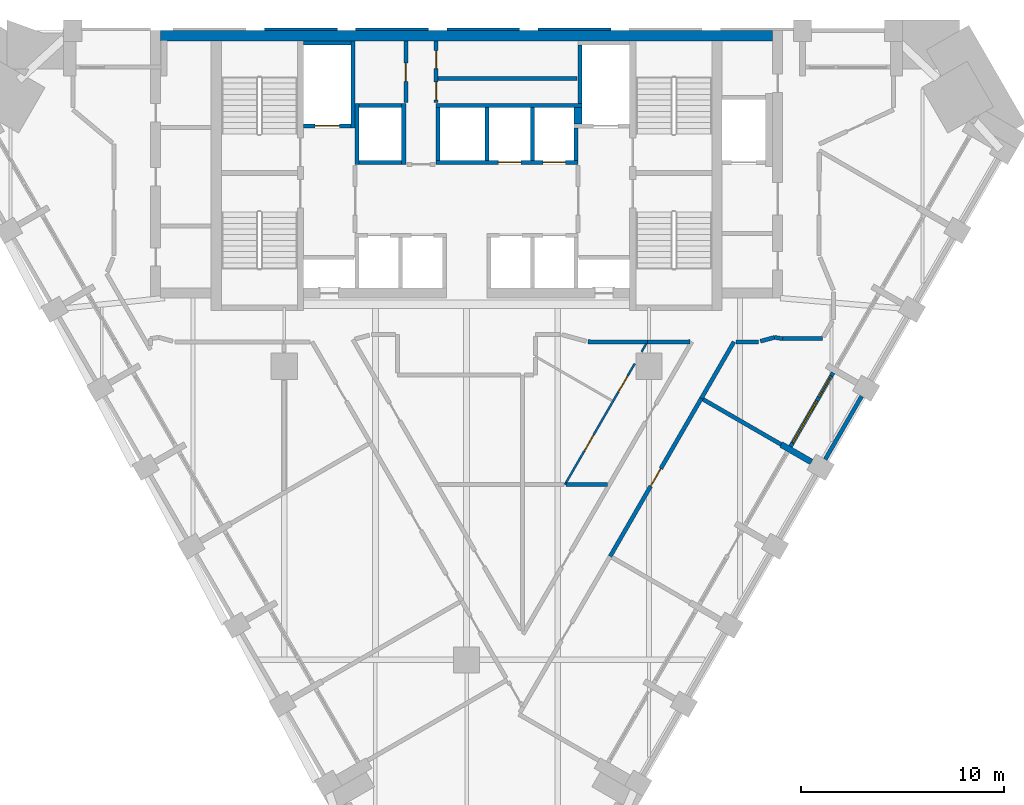
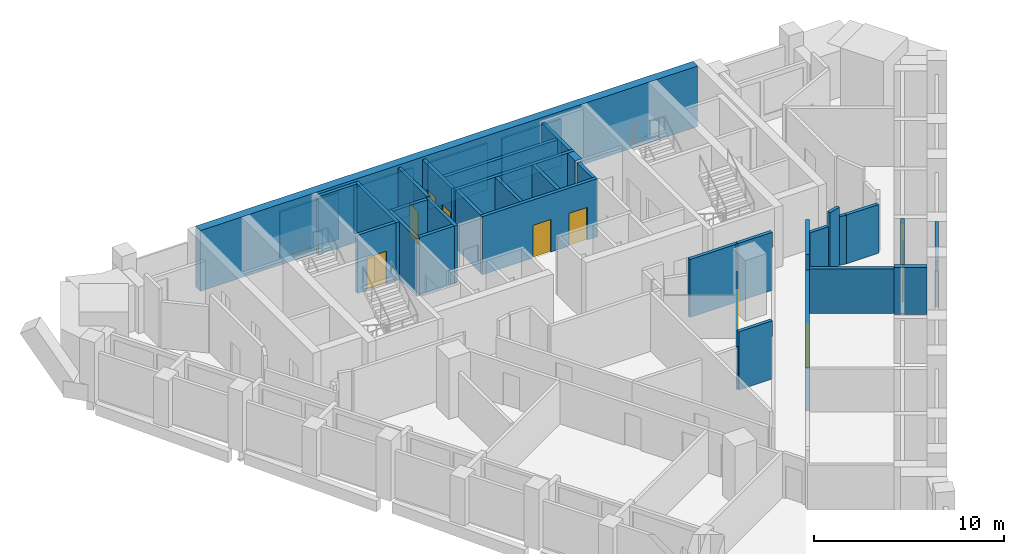
# One storey, part 6 of 9: 38 walls, 10 doors, 1 window, 11 openings.
"""IFC4 building model written with IfcOpenShell, lengths in metres."""

import ifcopenshell
import ifcopenshell.guid

model = None  # the IFC model being written
_history = None  # IfcOwnerHistory: only IFC2X3 demands one
_inside = {}  # id of a spatial element -> (the spatial element, [elements in it])
_under = {}  # id of a project, library or spatial element -> (it, [spatial elements below it])
_declared = {}  # id of a project -> (the project, [libraries it declares])
_typed = {}  # id of a type object -> (the type object, [elements of that type])
_made_of = {}  # id of a material, layer set ... -> (it, [elements and type objects made of it])


def new_model(schema):
    """Start an empty IFC model of exactly this schema.

    Asked for "IFC4X3", IfcOpenShell would pick the latest addendum, in which some entities
    have other attributes; the version numbers below select the first issue.
    IFC2X3 requires an IfcOwnerHistory on every rooted entity: one is made here for all.
    """
    global model, _history
    if schema == "IFC4X3":
        model = ifcopenshell.file(schema_version=(4, 3, 0, 0))
    else:
        model = ifcopenshell.file(schema=schema)
    _inside.clear()
    _under.clear()
    _declared.clear()
    _typed.clear()
    _made_of.clear()
    _history = None
    if model.schema == "IFC2X3":
        org = make("IfcOrganization", Name="unknown")
        user = make(
            "IfcPersonAndOrganization",
            ThePerson=make("IfcPerson", FamilyName="unknown"),
            TheOrganization=org,
        )
        app = make(
            "IfcApplication",
            ApplicationDeveloper=org,
            Version="unknown",
            ApplicationFullName="unknown",
            ApplicationIdentifier="unknown",
        )
        _history = make(
            "IfcOwnerHistory",
            OwningUser=user,
            OwningApplication=app,
            ChangeAction="ADDED",
            CreationDate=0,
        )
    return model


def make(cls, **values):
    """One entity of the class cls with the attributes given. An attribute that is None is left unset."""
    return model.create_entity(
        cls, **{name: value for name, value in values.items() if value is not None}
    )


def rooted(cls, **values):
    """An entity with a GlobalId (a new one), such as an element, a storey or a relation."""
    return make(cls, GlobalId=ifcopenshell.guid.new(), OwnerHistory=_history, **values)


def si_unit(unit_type, name, prefix=None):
    """IfcSIUnit, for example si_unit("LENGTHUNIT", "METRE", prefix="MILLI")."""
    return make("IfcSIUnit", UnitType=unit_type, Prefix=prefix, Name=name)


def assignment(units):
    """IfcUnitAssignment: the units of a project."""
    return None if units is None else make("IfcUnitAssignment", Units=units)


def point(xyz):
    """IfcCartesianPoint."""
    return None if xyz is None else make("IfcCartesianPoint", Coordinates=xyz)


def direction(xyz):
    """IfcDirection."""
    return None if xyz is None else make("IfcDirection", DirectionRatios=xyz)


def frame(location, z_axis=None, x_axis=None):
    """IfcAxis2Placement3D, a coordinate frame: its origin and axes. An axis left out is left unset."""
    return make(
        "IfcAxis2Placement3D",
        Location=point(location),
        Axis=direction(z_axis),
        RefDirection=direction(x_axis),
    )


def frame_2d(location, x_axis=None):
    """IfcAxis2Placement2D, a coordinate frame in the plane: its origin and x axis."""
    return make(
        "IfcAxis2Placement2D", Location=point(location), RefDirection=direction(x_axis)
    )


def origin():
    """The frame at (0, 0, 0) with its axes left unset."""
    return frame((0.0, 0.0, 0.0))


def place(relative_to, where):
    """IfcLocalPlacement: puts the frame where relative to a parent placement (None: the world)."""
    return make(
        "IfcLocalPlacement", PlacementRelTo=relative_to, RelativePlacement=where
    )


def context(
    kind, dimensions, precision=None, world=None, true_north=None, identifier=None
):
    """IfcGeometricRepresentationContext, for example the 3D "Model" context."""
    return make(
        "IfcGeometricRepresentationContext",
        ContextIdentifier=identifier,
        ContextType=kind,
        CoordinateSpaceDimension=dimensions,
        Precision=precision,
        WorldCoordinateSystem=world,
        TrueNorth=true_north,
    )


def subcontext(parent, identifier, kind, view, scale=None):
    """IfcGeometricRepresentationSubContext, for example "Body" below "Model"."""
    return make(
        "IfcGeometricRepresentationSubContext",
        ContextIdentifier=identifier,
        ContextType=kind,
        ParentContext=parent,
        TargetScale=scale,
        TargetView=view,
    )


def project(units=None, contexts=None):
    """IfcProject with its units and contexts."""
    return rooted(
        "IfcProject",
        Name="project",
        RepresentationContexts=contexts,
        UnitsInContext=assignment(units),
    )


def spatial(cls, under=None, at=None, **own):
    """A site, building, storey or space (cls), placed at a placement, below another one or the project."""
    s = rooted(cls, ObjectPlacement=at, **own)
    if under is not None:
        _under.setdefault(under.id(), (under, []))[1].append(s)
    return s


def polyline(points):
    """IfcPolyline through the points."""
    return make("IfcPolyline", Points=[point(p) for p in points])


def profile(cls, at=None, kind="AREA", **sizes):
    """A parametric profile (cls). Its sizes go by their IFC names, for example OverallWidth=200.0."""
    return make(cls, ProfileType=kind, Position=at, **sizes)


def rectangle(**sizes):
    """IfcRectangleProfileDef."""
    return profile("IfcRectangleProfileDef", **sizes)


def outline(outer, holes=None, kind="AREA"):
    """IfcArbitraryClosedProfileDef: a profile drawn as a closed curve; with holes, ...WithVoids."""
    if holes is None:
        return make("IfcArbitraryClosedProfileDef", ProfileType=kind, OuterCurve=outer)
    return make(
        "IfcArbitraryProfileDefWithVoids",
        ProfileType=kind,
        OuterCurve=outer,
        InnerCurves=holes,
    )


def extrude(swept, where, along, depth):
    """IfcExtrudedAreaSolid: the profile swept, set in the frame where, extruded along a direction by depth."""
    return make(
        "IfcExtrudedAreaSolid",
        SweptArea=swept,
        Position=where,
        ExtrudedDirection=direction(along),
        Depth=depth,
    )


def shape(context_of_items, identifier, shape_type, items):
    """IfcShapeRepresentation: the items that make up one representation, for example the "Body"."""
    return make(
        "IfcShapeRepresentation",
        ContextOfItems=context_of_items,
        RepresentationIdentifier=identifier,
        RepresentationType=shape_type,
        Items=items,
    )


def material(Name=None, Category=None):
    """IfcMaterial."""
    return make("IfcMaterial", Name=Name, Category=Category)


def layer(
    of_material, thickness, ventilated=None, Name=None, Category=None, Priority=None
):
    """IfcMaterialLayer: one layer of a wall or slab, of a material (None: an air gap)."""
    return make(
        "IfcMaterialLayer",
        Material=of_material,
        LayerThickness=thickness,
        IsVentilated=ventilated,
        Name=Name,
        Category=Category,
        Priority=Priority,
    )


def layer_set(layers, Name=None):
    """IfcMaterialLayerSet."""
    return make("IfcMaterialLayerSet", MaterialLayers=layers, LayerSetName=Name)


def made_of(thing, what):
    """Note that an element or type object is made of a material, layer set ...; save() writes the relation."""
    if what is not None:
        _made_of.setdefault(what.id(), (what, []))[1].append(thing)
    return thing


def type_object(cls, material=None, **own):
    """A type object (cls), such as IfcWallType, which elements share."""
    return made_of(rooted(cls, **own), material)


def element(
    cls,
    number,
    at=None,
    inside=None,
    cuts=None,
    type_object=None,
    material=None,
    context=None,
    identifier="Body",
    shape_type=None,
    held_by="IfcProductDefinitionShape",
    body=None,
    shapes=None,
    **own,
):
    """One element of the class cls, such as IfcWall. Its Tag is "e" and its number.

    at: its placement. inside: the storey or other place that contains it. cuts: it is an
    opening in that element (IfcRelVoidsElement). A single representation is given by context,
    identifier, shape_type and body (its items); several are given by shapes. held_by: the class
    of the entity that holds the representations. save() writes the other relations.
    """
    e = rooted(cls, Tag="e%d" % number, ObjectPlacement=at, **own)
    if body is not None:
        shapes = [shape(context, identifier, shape_type, body)]
    if shapes is not None:
        e.Representation = make(held_by, Representations=shapes)
    if inside is not None:
        _inside.setdefault(inside.id(), (inside, []))[1].append(e)
    if cuts is not None:
        rooted(
            "IfcRelVoidsElement", RelatingBuildingElement=cuts, RelatedOpeningElement=e
        )
    if type_object is not None:
        _typed.setdefault(type_object.id(), (type_object, []))[1].append(e)
    return made_of(e, material)


def fill(opening, filler):
    """IfcRelFillsElement: the door or window that sits in an opening."""
    return rooted(
        "IfcRelFillsElement",
        RelatingOpeningElement=opening,
        RelatedBuildingElement=filler,
    )


def aggregate(whole, parts):
    """IfcRelAggregates: a whole, such as a stair, and the parts it consists of."""
    return rooted("IfcRelAggregates", RelatingObject=whole, RelatedObjects=parts)


def save(model, path):
    """Write the relations noted so far, then the file.

    IfcRelAggregates (storeys below a building ...), IfcRelContainedInSpatialStructure (elements
    in a storey), IfcRelDefinesByType, IfcRelAssociatesMaterial and IfcRelDeclares: one each for
    every whole, place, type object, material and project.
    """
    for whole, parts in _under.values():
        aggregate(whole, parts)
    for where, things in _inside.values():
        rooted(
            "IfcRelContainedInSpatialStructure",
            RelatedElements=things,
            RelatingStructure=where,
        )
    for kind, things in _typed.values():
        rooted("IfcRelDefinesByType", RelatedObjects=things, RelatingType=kind)
    for what, things in _made_of.values():
        rooted("IfcRelAssociatesMaterial", RelatedObjects=things, RelatingMaterial=what)
    for by, libraries in _declared.values():
        rooted("IfcRelDeclares", RelatingContext=by, RelatedDefinitions=libraries)
    model.write(path)


model = new_model("IFC4")

# Units and contexts
model_context = context("Model", 3, precision=1e-05, world=origin(), true_north=direction((0.0, 1.0)))
body_context = subcontext(model_context, "Body", "Model", "MODEL_VIEW")
ifc_project = project(units=[si_unit("LENGTHUNIT", "METRE"), si_unit("AREAUNIT", "SQUARE_METRE"), si_unit("VOLUMEUNIT", "CUBIC_METRE"), si_unit("PLANEANGLEUNIT", "RADIAN"), si_unit("MASSUNIT", "GRAM", prefix="KILO")], contexts=[model_context])

# Site, building, storey
site_placement = place(None, origin())
site = spatial("IfcSite", under=ifc_project, at=site_placement, CompositionType="ELEMENT")
building_placement = place(site_placement, origin())
building = spatial("IfcBuilding", under=site, at=building_placement, Name="Calabash Gate Tower", CompositionType="ELEMENT")
storey_placement = place(building_placement, frame((0.0, 0.0, 179.699951171875)))
storey = spatial("IfcBuildingStorey", under=building, at=storey_placement, Name="L42", CompositionType="ELEMENT", Elevation=179.699951171875)

# Walls
ifc_material_1 = material(Name="Terracotta brick masonry, exposed face", Category="masonry")
ifc_layer_1 = layer(ifc_material_1, 0.300048828125)
ifc_layer_set_1 = layer_set([ifc_layer_1], Name="Brick loggia cheek wall 300")
wall_type_1 = type_object("IfcWallType", Name="Brick loggia cheek wall 300", PredefinedType="SOLIDWALL", material=ifc_layer_set_1)
wall_1_placement = place(storey_placement, frame((15.523193359375, -1.368896484375, 0.0), z_axis=(0.0, 0.0, 1.0), x_axis=(0.866074815912, -0.499914405916, 0.0)))
element("IfcWall", 1, at=wall_1_placement, inside=storey, type_object=wall_type_1, Name="Loggia cheek S12 SE4.4", PredefinedType="SOLIDWALL", context=body_context, shape_type="SweptSolid", body=[
    extrude(rectangle(XDim=1.724853515625, YDim=0.300048828125, at=frame_2d((0.8623046875, 0.0))), origin(), (0.0, 0.0, 1.0), 3.0),
])
ifc_material_2 = material(Name="Concrete C70/85", Category="concrete")
ifc_layer_2 = layer(ifc_material_2, 0.5)
ifc_layer_set_2 = layer_set([ifc_layer_2], Name="Core wall 500 Concrete C70/85")
wall_type_2 = type_object("IfcWallType", Name="Core wall 500 Concrete C70/85", PredefinedType="SHEAR", material=ifc_layer_set_2)
wall_2_placement = place(storey_placement, frame((-15.10009765625, 18.802490234375, 0.0), z_axis=(0.0, 0.0, 1.0), x_axis=(1.0, 0.0, 0.0)))
element("IfcWall", 2, at=wall_2_placement, inside=storey, type_object=wall_type_2, Name="Core wall Z3-N L42", PredefinedType="SHEAR", context=body_context, shape_type="SweptSolid", body=[
    extrude(rectangle(XDim=30.2001953125, YDim=0.5, at=frame_2d((15.10009765625, 0.0))), origin(), (0.0, 0.0, 1.0), 3.900146484375),
])

# Wall, openings, doors
ifc_material_3 = material(Name="Gypsum board on steel studs, mineral wool", Category="steel")
ifc_layer_3 = layer(ifc_material_3, 0.10009765625)
ifc_layer_set_3 = layer_set([ifc_layer_3], Name="Partition 100 gypsum board")
wall_type_3 = type_object("IfcWallType", Name="Partition 100 gypsum board", PredefinedType="PARTITIONING", material=ifc_layer_set_3)
wall_3_placement = place(storey_placement, frame((4.85693359375, -3.339599609375, 0.0), z_axis=(0.0, 0.0, 1.0), x_axis=(0.499969101261, 0.866043242445, 0.0)))
wall_3 = element("IfcWall", 3, at=wall_3_placement, inside=storey, type_object=wall_type_3, Name="Partition", PredefinedType="PARTITIONING", context=body_context, shape_type="SweptSolid", body=[
    extrude(rectangle(XDim=6.88330078125, YDim=0.10009765625, at=frame_2d((3.441650390625, 0.0))), origin(), (0.0, 0.0, 1.0), 2.74169921875),
])
opening_1_placement = place(wall_3_placement, frame((1.91943359375, 0.0, 0.0)))
opening_1 = element("IfcOpeningElement", 4, at=opening_1_placement, cuts=wall_3, Name="Opening 42-44-015", PredefinedType="OPENING", context=body_context, shape_type="SweptSolid", body=[
    extrude(rectangle(XDim=0.89990234375, YDim=2.10009765625, at=frame_2d((0.449951171875, 1.050048828125))), frame((0.0, 0.06005859375, 0.0), z_axis=(0.0, -1.0, 0.0), x_axis=(1.0, 0.0, 0.0)), (0.0, 0.0, 1.0), 0.1201171875),
])
opening_2_placement = place(wall_3_placement, frame((5.283935546875, 0.0, 0.0)))
opening_2 = element("IfcOpeningElement", 5, at=opening_2_placement, cuts=wall_3, Name="Opening 42-44-016", PredefinedType="OPENING", context=body_context, shape_type="SweptSolid", body=[
    extrude(rectangle(XDim=0.89990234375, YDim=2.10009765625, at=frame_2d((0.449951171875, 1.050048828125))), frame((0.0, 0.06005859375, 0.0), z_axis=(0.0, -1.0, 0.0), x_axis=(1.0, 0.0, 0.0)), (0.0, 0.0, 1.0), 0.1201171875),
])
ifc_material_4 = material(Name="Painted timber door", Category="wood")
door_type_1 = type_object("IfcDoorType", Name="WD1 WC door 900x2100", OperationType="NOTDEFINED", PredefinedType="DOOR", material=ifc_material_4)
door_1_placement = place(opening_1_placement, origin())
door_1 = element("IfcDoor", 6, at=door_1_placement, inside=storey, type_object=door_type_1, Name="WC door", OperationType="SINGLE_SWING_LEFT", OverallHeight=2.10009765625, OverallWidth=0.89990234375, PredefinedType="DOOR", context=body_context, shape_type="SweptSolid", body=[
    extrude(rectangle(XDim=0.89990234375, YDim=2.10009765625, at=frame_2d((0.449951171875, 1.050048828125))), frame((0.0, 0.02490234375, 0.0), z_axis=(0.0, -1.0, 0.0), x_axis=(1.0, 0.0, 0.0)), (0.0, 0.0, 1.0), 0.050048828125),
])
fill(opening_1, door_1)
door_2_placement = place(opening_2_placement, origin())
door_2 = element("IfcDoor", 7, at=door_2_placement, inside=storey, type_object=door_type_1, Name="WC door", OperationType="SINGLE_SWING_RIGHT", OverallHeight=2.10009765625, OverallWidth=0.89990234375, PredefinedType="DOOR", context=body_context, shape_type="SweptSolid", body=[
    extrude(rectangle(XDim=0.89990234375, YDim=2.10009765625, at=frame_2d((0.449951171875, 1.050048828125))), frame((0.0, 0.02490234375, 0.0), z_axis=(0.0, -1.0, 0.0), x_axis=(1.0, 0.0, 0.0)), (0.0, 0.0, 1.0), 0.050048828125),
])
fill(opening_2, door_2)

# Walls
wall_4_placement = place(storey_placement, frame((8.634521484375, 3.199951171875, 0.0), z_axis=(0.0, 0.0, 1.0), x_axis=(0.496967188395, 0.867769332057, 0.0)))
element("IfcWall", 8, at=wall_4_placement, inside=storey, type_object=wall_type_3, Name="Partition", PredefinedType="PARTITIONING", context=body_context, shape_type="SweptSolid", body=[
    extrude(rectangle(XDim=0.47607421875, YDim=0.10009765625, at=frame_2d((0.238037109375, 0.0))), origin(), (0.0, 0.0, 1.0), 3.72998046875),
])
ifc_material_5 = material(Name="Gypsum board on steel studs, mineral wool", Category="steel")
ifc_layer_4 = layer(ifc_material_5, 0.199951171875)
ifc_layer_set_4 = layer_set([ifc_layer_4], Name="Partition 200 gypsum board EI 60")
wall_type_4 = type_object("IfcWallType", Name="Partition 200 gypsum board EI 60", PredefinedType="PARTITIONING", material=ifc_layer_set_4)
wall_5_placement = place(storey_placement, frame((4.908935546875, -3.33984375, 0.0), z_axis=(0.0, 0.0, 1.0), x_axis=(0.99999974282, 0.000717188436, 0.0)))
element("IfcWall", 9, at=wall_5_placement, inside=storey, type_object=wall_type_4, Name="Partition", PredefinedType="PARTITIONING", context=body_context, shape_type="SweptSolid", body=[
    extrude(rectangle(XDim=2.04248046875, YDim=0.199951171875, at=frame_2d((1.021240234375, 0.0))), origin(), (0.0, 0.0, 1.0), 3.72998046875),
])
wall_6_placement = place(storey_placement, frame((11.670654296875, 0.857666015625, 0.0), z_axis=(0.0, 0.0, 1.0), x_axis=(0.865862960607, -0.500281254345, 0.0)))
element("IfcWall", 10, at=wall_6_placement, inside=storey, type_object=wall_type_4, Name="Partition", PredefinedType="PARTITIONING", context=body_context, shape_type="SweptSolid", body=[
    extrude(rectangle(XDim=4.44970703125, YDim=0.199951171875, at=frame_2d((2.224853515625, 0.0))), origin(), (0.0, 0.0, 1.0), 2.884033203125),
])

# Wall, opening, door
wall_7_placement = place(storey_placement, frame((7.084716796875, -6.888916015625, 0.0), z_axis=(0.0, 0.0, 1.0), x_axis=(0.499981539608, 0.866036061634, 0.0)))
wall_7 = element("IfcWall", 11, at=wall_7_placement, inside=storey, type_object=wall_type_4, Name="Partition", PredefinedType="PARTITIONING", context=body_context, shape_type="SweptSolid", body=[
    extrude(rectangle(XDim=8.999755859375, YDim=0.199951171875, at=frame_2d((4.5, 0.0))), origin(), (0.0, 0.0, 1.0), 2.74169921875),
])
opening_3_placement = place(wall_7_placement, frame((4.0, 0.0, 0.0)))
opening_3 = element("IfcOpeningElement", 12, at=opening_3_placement, cuts=wall_7, Name="Opening 42-44-005", PredefinedType="OPENING", context=body_context, shape_type="SweptSolid", body=[
    extrude(rectangle(XDim=1.0, YDim=2.10009765625, at=frame_2d((0.5, 1.050048828125))), frame((0.0, 0.10986328125, 0.0), z_axis=(0.0, -1.0, 0.0), x_axis=(1.0, 0.0, 0.0)), (0.0, 0.0, 1.0), 0.219970703125),
])
ifc_material_6 = material(Name="Steel fire door set with fire-resisting glazing", Category="steel")
door_type_2 = type_object("IfcDoorType", Name="LD2 Meeting room door 1000x2100", OperationType="NOTDEFINED", PredefinedType="DOOR", material=ifc_material_6)
door_3_placement = place(opening_3_placement, origin())
door_3 = element("IfcDoor", 13, at=door_3_placement, inside=storey, type_object=door_type_2, Name="Meeting room door", OperationType="SINGLE_SWING_LEFT", OverallHeight=2.10009765625, OverallWidth=1.0, PredefinedType="DOOR", context=body_context, shape_type="SweptSolid", body=[
    extrude(rectangle(XDim=1.0, YDim=2.10009765625, at=frame_2d((0.5, 1.050048828125))), frame((0.0, 0.02490234375, 0.0), z_axis=(0.0, -1.0, 0.0), x_axis=(1.0, 0.0, 0.0)), (0.0, 0.0, 1.0), 0.050048828125),
])
fill(opening_3, door_3)

# Walls
wall_8_placement = place(storey_placement, frame((6.0, 3.69970703125, 0.0), z_axis=(0.0, 0.0, 1.0), x_axis=(0.99999982895, -0.000584892948, 0.0)))
element("IfcWall", 14, at=wall_8_placement, inside=storey, type_object=wall_type_4, Name="Partition", PredefinedType="PARTITIONING", context=body_context, shape_type="SweptSolid", body=[
    extrude(rectangle(XDim=2.921875, YDim=0.199951171875, at=frame_2d((1.4609375, 0.0))), origin(), (0.0, 0.0, 1.0), 3.72998046875),
])
wall_9_placement = place(storey_placement, frame((8.922119140625, 3.697998046875, 0.0), z_axis=(0.0, 0.0, 1.0), x_axis=(0.999999667194, 0.000815850544, 0.0)))
element("IfcWall", 15, at=wall_9_placement, inside=storey, type_object=wall_type_4, Name="Partition", PredefinedType="PARTITIONING", context=body_context, shape_type="SweptSolid", body=[
    extrude(rectangle(XDim=2.0947265625, YDim=0.199951171875, at=frame_2d((1.04736328125, 0.0))), origin(), (0.0, 0.0, 1.0), 3.72998046875),
])
wall_10_placement = place(storey_placement, frame((11.584716796875, 0.905517578125, 0.0), z_axis=(0.0, 0.0, 1.0), x_axis=(0.499591387573, 0.866261187785, 0.0)))
element("IfcWall", 16, at=wall_10_placement, inside=storey, type_object=wall_type_4, Name="Partition", PredefinedType="PARTITIONING", context=body_context, shape_type="SweptSolid", body=[
    extrude(rectangle(XDim=3.225341796875, YDim=0.199951171875, at=frame_2d((1.61279296875, 0.0))), origin(), (0.0, 0.0, 1.0), 3.72998046875),
])
wall_11_placement = place(storey_placement, frame((13.2958984375, 3.699462890625, 0.0), z_axis=(0.0, 0.0, 1.0), x_axis=(1.0, 0.0, 0.0)))
element("IfcWall", 17, at=wall_11_placement, inside=storey, type_object=wall_type_4, Name="Partition", PredefinedType="PARTITIONING", context=body_context, shape_type="SweptSolid", body=[
    extrude(rectangle(XDim=1.10400390625, YDim=0.199951171875, at=frame_2d((0.552001953125, 0.0))), origin(), (0.0, 0.0, 1.0), 2.884033203125),
])
wall_12_placement = place(storey_placement, frame((15.193359375, 3.91455078125, 0.0), z_axis=(0.0, 0.0, 1.0), x_axis=(0.988399116328, -0.15187885581, 0.0)))
element("IfcWall", 18, at=wall_12_placement, inside=storey, type_object=wall_type_4, Name="Partition", PredefinedType="PARTITIONING", context=body_context, shape_type="SweptSolid", body=[
    extrude(rectangle(XDim=0.41162109375, YDim=0.199951171875, at=frame_2d((0.205810546875, 0.0))), origin(), (0.0, 0.0, 1.0), 3.1279296875),
])
wall_13_placement = place(storey_placement, frame((15.60009765625, 3.85205078125, 0.0), z_axis=(0.0, 0.0, 1.0), x_axis=(1.0, 0.0, 0.0)))
element("IfcWall", 19, at=wall_13_placement, inside=storey, type_object=wall_type_4, Name="Partition", PredefinedType="PARTITIONING", context=body_context, shape_type="SweptSolid", body=[
    extrude(rectangle(XDim=1.956298828125, YDim=0.199951171875, at=frame_2d((0.97802734375, 0.0))), origin(), (0.0, 0.0, 1.0), 3.1279296875),
])
wall_14_placement = place(storey_placement, frame((14.49658203125, 3.7255859375, 0.0), z_axis=(0.0, 0.0, 1.0), x_axis=(0.965137431954, 0.26174364833, 0.0)))
element("IfcWall", 20, at=wall_14_placement, inside=storey, type_object=wall_type_4, Name="Partition", PredefinedType="PARTITIONING", context=body_context, shape_type="SweptSolid", body=[
    extrude(rectangle(XDim=0.721923828125, YDim=0.199951171875, at=frame_2d((0.36083984375, 0.0))), origin(), (0.0, 0.0, 1.0), 3.72998046875),
])
ifc_material_7 = material(Name="Concrete C40/50", Category="concrete")
ifc_layer_5 = layer(ifc_material_7, 0.199951171875)
ifc_layer_set_5 = layer_set([ifc_layer_5], Name="Shaft wall 200 Concrete C40/50")
wall_type_5 = type_object("IfcWallType", Name="Shaft wall 200 Concrete C40/50", PredefinedType="SOLIDWALL", material=ifc_layer_set_5)
wall_15_placement = place(storey_placement, frame((-5.39990234375, 12.45263671875, 0.0), z_axis=(0.0, 0.0, 1.0), x_axis=(0.0, 1.0, 0.0)))
element("IfcWall", 21, at=wall_15_placement, inside=storey, type_object=wall_type_5, Name="Shaft wall", PredefinedType="SOLIDWALL", context=body_context, shape_type="SweptSolid", body=[
    extrude(rectangle(XDim=3.0, YDim=0.199951171875, at=frame_2d((1.5, 0.0))), origin(), (0.0, 0.0, 1.0), 3.72998046875),
])
wall_16_placement = place(storey_placement, frame((-5.300048828125, 12.552490234375, 0.0), z_axis=(0.0, 0.0, 1.0), x_axis=(1.0, 0.0, 0.0)))
element("IfcWall", 22, at=wall_16_placement, inside=storey, type_object=wall_type_5, Name="Shaft wall", PredefinedType="SOLIDWALL", context=body_context, shape_type="SweptSolid", body=[
    extrude(rectangle(XDim=2.10009765625, YDim=0.199951171875, at=frame_2d((1.050048828125, 0.0))), origin(), (0.0, 0.0, 1.0), 3.72998046875),
])
wall_17_placement = place(storey_placement, frame((-3.10009765625, 12.45263671875, 0.0), z_axis=(0.0, 0.0, 1.0), x_axis=(0.0, 1.0, 0.0)))
element("IfcWall", 23, at=wall_17_placement, inside=storey, type_object=wall_type_5, Name="Shaft wall", PredefinedType="SOLIDWALL", context=body_context, shape_type="SweptSolid", body=[
    extrude(rectangle(XDim=3.0, YDim=0.199951171875, at=frame_2d((1.5, 0.0))), origin(), (0.0, 0.0, 1.0), 3.72998046875),
])

# Wall, openings, doors
wall_18_placement = place(storey_placement, frame((-1.5, 12.552490234375, 0.0), z_axis=(0.0, 0.0, 1.0), x_axis=(1.0, 0.0, 0.0)))
wall_18 = element("IfcWall", 24, at=wall_18_placement, inside=storey, type_object=wall_type_5, Name="Shaft wall", PredefinedType="SOLIDWALL", context=body_context, shape_type="SweptSolid", body=[
    extrude(rectangle(XDim=7.0, YDim=0.199951171875, at=frame_2d((3.5, 0.0))), origin(), (0.0, 0.0, 1.0), 3.72998046875),
])
opening_4_placement = place(wall_18_placement, frame((3.074951171875, 0.0, 0.0)))
opening_4 = element("IfcOpeningElement", 25, at=opening_4_placement, cuts=wall_18, Name="Opening LD-HR5", PredefinedType="OPENING", context=body_context, shape_type="SweptSolid", body=[
    extrude(rectangle(XDim=1.10009765625, YDim=2.10009765625, at=frame_2d((0.550048828125, 1.050048828125))), frame((0.0, 0.10986328125, 0.0), z_axis=(0.0, -1.0, 0.0), x_axis=(1.0, 0.0, 0.0)), (0.0, 0.0, 1.0), 0.219970703125),
])
opening_5_placement = place(wall_18_placement, frame((5.27490234375, 0.0, 0.0)))
opening_5 = element("IfcOpeningElement", 26, at=opening_5_placement, cuts=wall_18, Name="Opening LD-HR6", PredefinedType="OPENING", context=body_context, shape_type="SweptSolid", body=[
    extrude(rectangle(XDim=1.10009765625, YDim=2.10009765625, at=frame_2d((0.550048828125, 1.050048828125))), frame((0.0, 0.10986328125, 0.0), z_axis=(0.0, -1.0, 0.0), x_axis=(1.0, 0.0, 0.0)), (0.0, 0.0, 1.0), 0.219970703125),
])
ifc_material_8 = material(Name="Stainless steel sliding door leaves", Category="steel")
door_type_3 = type_object("IfcDoorType", Name="Lift landing door LS1 1100x2100 FD90", OperationType="DOUBLE_DOOR_SLIDING", PredefinedType="DOOR", material=ifc_material_8)
door_4_placement = place(opening_4_placement, origin())
door_4 = element("IfcDoor", 27, at=door_4_placement, inside=storey, type_object=door_type_3, Name="Lift landing door HR5", OperationType="DOUBLE_DOOR_SLIDING", OverallHeight=2.10009765625, OverallWidth=1.10009765625, PredefinedType="DOOR", context=body_context, shape_type="SweptSolid", body=[
    extrude(rectangle(XDim=1.10009765625, YDim=2.10009765625, at=frame_2d((0.550048828125, 1.050048828125))), frame((0.0, 0.02490234375, 0.0), z_axis=(0.0, -1.0, 0.0), x_axis=(1.0, 0.0, 0.0)), (0.0, 0.0, 1.0), 0.050048828125),
])
fill(opening_4, door_4)
door_5_placement = place(opening_5_placement, origin())
door_5 = element("IfcDoor", 28, at=door_5_placement, inside=storey, type_object=door_type_3, Name="Lift landing door HR6", OperationType="DOUBLE_DOOR_SLIDING", OverallHeight=2.10009765625, OverallWidth=1.10009765625, PredefinedType="DOOR", context=body_context, shape_type="SweptSolid", body=[
    extrude(rectangle(XDim=1.10009765625, YDim=2.10009765625, at=frame_2d((0.550048828125, 1.050048828125))), frame((0.0, 0.02490234375, 0.0), z_axis=(0.0, -1.0, 0.0), x_axis=(1.0, 0.0, 0.0)), (0.0, 0.0, 1.0), 0.050048828125),
])
fill(opening_5, door_5)

# Walls
for number, where, z_axis, x_axis, name in (
    (29, (-1.39990234375, 12.652587890625, 0.0), (0.0, 0.0, 1.0), (0.0, 1.0, 0.0), "Shaft wall"),
    (30, (1.0, 12.652587890625, 0.0), (0.0, 0.0, 1.0), (0.0, 1.0, 0.0), "Shaft wall"),
    (31, (3.25, 12.652587890625, 0.0), (0.0, 0.0, 1.0), (0.0, 1.0, 0.0), "Shaft wall"),
):
    element("IfcWall", number, at=place(storey_placement, frame(where, z_axis=z_axis, x_axis=x_axis)), inside=storey, type_object=wall_type_5, Name=name, PredefinedType="SOLIDWALL", context=body_context, shape_type="SweptSolid", body=[
        extrude(rectangle(XDim=2.60009765625, YDim=0.199951171875, at=frame_2d((1.300048828125, 0.0))), origin(), (0.0, 0.0, 1.0), 3.72998046875),
    ])
wall_19_placement = place(storey_placement, frame((5.39990234375, 12.652587890625, 0.0), z_axis=(0.0, 0.0, 1.0), x_axis=(0.0, 1.0, 0.0)))
element("IfcWall", 32, at=wall_19_placement, inside=storey, type_object=wall_type_5, Name="Shaft wall", PredefinedType="SOLIDWALL", context=body_context, shape_type="SweptSolid", body=[
    extrude(rectangle(XDim=1.60009765625, YDim=0.199951171875, at=frame_2d((0.800048828125, 0.0))), origin(), (0.0, 0.0, 1.0), 3.72998046875),
])

# Wall, opening, door
wall_20_placement = place(storey_placement, frame((-8.050048828125, 14.3525390625, 0.0), z_axis=(0.0, 0.0, 1.0), x_axis=(1.0, 0.0, 0.0)))
wall_20 = element("IfcWall", 33, at=wall_20_placement, inside=storey, type_object=wall_type_5, Name="Shaft wall", PredefinedType="SOLIDWALL", context=body_context, shape_type="SweptSolid", body=[
    extrude(rectangle(XDim=2.35009765625, YDim=0.199951171875, at=frame_2d((1.175048828125, 0.0))), origin(), (0.0, 0.0, 1.0), 3.72998046875),
])
opening_6_placement = place(wall_20_placement, frame((0.574951171875, 0.0, 0.0)))
opening_6 = element("IfcOpeningElement", 34, at=opening_6_placement, cuts=wall_20, Name="Opening LD-FF1", PredefinedType="OPENING", context=body_context, shape_type="SweptSolid", body=[
    extrude(rectangle(XDim=1.199951171875, YDim=2.10009765625, at=frame_2d((0.60009765625, 1.050048828125))), frame((0.0, 0.10986328125, 0.0), z_axis=(0.0, -1.0, 0.0), x_axis=(1.0, 0.0, 0.0)), (0.0, 0.0, 1.0), 0.219970703125),
])
ifc_material_9 = material(Name="Stainless steel sliding door leaves", Category="steel")
door_type_4 = type_object("IfcDoorType", Name="Lift landing door LS3 1200x2100 FD90", OperationType="DOUBLE_DOOR_SLIDING", PredefinedType="DOOR", material=ifc_material_9)
door_6_placement = place(opening_6_placement, origin())
door_6 = element("IfcDoor", 35, at=door_6_placement, inside=storey, type_object=door_type_4, Name="Lift landing door FF1", OperationType="DOUBLE_DOOR_SLIDING", OverallHeight=2.10009765625, OverallWidth=1.199951171875, PredefinedType="DOOR", context=body_context, shape_type="SweptSolid", body=[
    extrude(rectangle(XDim=1.199951171875, YDim=2.10009765625, at=frame_2d((0.60009765625, 1.050048828125))), frame((0.0, 0.02490234375, 0.0), z_axis=(0.0, -1.0, 0.0), x_axis=(1.0, 0.0, 0.0)), (0.0, 0.0, 1.0), 0.050048828125),
])
fill(opening_6, door_6)

# Walls
wall_21_placement = place(storey_placement, frame((-5.60009765625, 14.252685546875, 0.0), z_axis=(0.0, 0.0, 1.0), x_axis=(0.0, 1.0, 0.0)))
element("IfcWall", 36, at=wall_21_placement, inside=storey, type_object=wall_type_5, Name="Shaft wall", PredefinedType="SOLIDWALL", context=body_context, shape_type="SweptSolid", body=[
    extrude(rectangle(XDim=4.2998046875, YDim=0.199951171875, at=frame_2d((2.14990234375, 0.0))), origin(), (0.0, 0.0, 1.0), 3.72998046875),
])
wall_22_placement = place(storey_placement, frame((5.5, 14.45263671875, 0.0), z_axis=(0.0, 0.0, 1.0), x_axis=(0.0, 1.0, 0.0)))
element("IfcWall", 37, at=wall_22_placement, inside=storey, type_object=wall_type_5, Name="Shaft wall", PredefinedType="SOLIDWALL", context=body_context, shape_type="SweptSolid", body=[
    extrude(rectangle(XDim=0.800048828125, YDim=0.39990234375, at=frame_2d((0.39990234375, 0.0))), origin(), (0.0, 0.0, 1.0), 3.72998046875),
])
wall_23_placement = place(storey_placement, frame((-5.300048828125, 15.3525390625, 0.0), z_axis=(0.0, 0.0, 1.0), x_axis=(1.0, 0.0, 0.0)))
element("IfcWall", 38, at=wall_23_placement, inside=storey, type_object=wall_type_5, Name="Shaft wall", PredefinedType="SOLIDWALL", context=body_context, shape_type="SweptSolid", body=[
    extrude(rectangle(XDim=2.10009765625, YDim=0.199951171875, at=frame_2d((1.050048828125, 0.0))), origin(), (0.0, 0.0, 1.0), 3.72998046875),
])
wall_24_placement = place(storey_placement, frame((-1.5, 15.3525390625, 0.0), z_axis=(0.0, 0.0, 1.0), x_axis=(1.0, 0.0, 0.0)))
element("IfcWall", 39, at=wall_24_placement, inside=storey, type_object=wall_type_5, Name="Shaft wall", PredefinedType="SOLIDWALL", context=body_context, shape_type="SweptSolid", body=[
    extrude(rectangle(XDim=7.199951171875, YDim=0.199951171875, at=frame_2d((3.60009765625, 0.0))), origin(), (0.0, 0.0, 1.0), 3.72998046875),
])
wall_25_placement = place(storey_placement, frame((5.60009765625, 15.45263671875, 0.0), z_axis=(0.0, 0.0, 1.0), x_axis=(0.0, 1.0, 0.0)))
element("IfcWall", 40, at=wall_25_placement, inside=storey, type_object=wall_type_5, Name="Shaft wall", PredefinedType="SOLIDWALL", context=body_context, shape_type="SweptSolid", body=[
    extrude(rectangle(XDim=2.89990234375, YDim=0.199951171875, at=frame_2d((1.449951171875, 0.0))), origin(), (0.0, 0.0, 1.0), 3.72998046875),
])

# Wall, opening, door
wall_26_placement = place(storey_placement, frame((-3.0, 15.502685546875, 0.0), z_axis=(0.0, 0.0, 1.0), x_axis=(0.0, 1.0, 0.0)))
wall_26 = element("IfcWall", 41, at=wall_26_placement, inside=storey, type_object=wall_type_5, Name="Shaft wall", PredefinedType="SOLIDWALL", context=body_context, shape_type="SweptSolid", body=[
    extrude(rectangle(XDim=3.0498046875, YDim=0.199951171875, at=frame_2d((1.52490234375, 0.0))), origin(), (0.0, 0.0, 1.0), 3.72998046875),
])
opening_7_placement = place(wall_26_placement, frame((1.050048828125, 0.0, 0.0)))
opening_7 = element("IfcOpeningElement", 42, at=opening_7_placement, cuts=wall_26, Name="Opening O4-010", PredefinedType="OPENING", context=body_context, shape_type="SweptSolid", body=[
    extrude(rectangle(XDim=0.89990234375, YDim=2.10009765625, at=frame_2d((0.449951171875, 1.050048828125))), frame((0.0, 0.10986328125, 0.0), z_axis=(0.0, -1.0, 0.0), x_axis=(1.0, 0.0, 0.0)), (0.0, 0.0, 1.0), 0.219970703125),
])
ifc_material_10 = material(Name="Steel fire door set with fire-resisting glazing", Category="steel")
door_type_5 = type_object("IfcDoorType", Name="Fire door D06 900x2100 FD60", OperationType="NOTDEFINED", PredefinedType="DOOR", material=ifc_material_10)
door_7_placement = place(opening_7_placement, origin())
door_7 = element("IfcDoor", 43, at=door_7_placement, inside=storey, type_object=door_type_5, Name="Accessible WC door", OperationType="SINGLE_SWING_LEFT", OverallHeight=2.10009765625, OverallWidth=0.89990234375, PredefinedType="DOOR", context=body_context, shape_type="SweptSolid", body=[
    extrude(rectangle(XDim=0.89990234375, YDim=2.10009765625, at=frame_2d((0.449951171875, 1.050048828125))), frame((0.0, 0.02490234375, 0.0), z_axis=(0.0, -1.0, 0.0), x_axis=(1.0, 0.0, 0.0)), (0.0, 0.0, 1.0), 0.050048828125),
])
fill(opening_7, door_7)

# Wall, openings, doors
wall_27_placement = place(storey_placement, frame((-1.5, 15.502685546875, 0.0), z_axis=(0.0, 0.0, 1.0), x_axis=(0.0, 1.0, 0.0)))
wall_27 = element("IfcWall", 44, at=wall_27_placement, inside=storey, type_object=wall_type_5, Name="Shaft wall", PredefinedType="SOLIDWALL", context=body_context, shape_type="SweptSolid", body=[
    extrude(rectangle(XDim=3.0498046875, YDim=0.199951171875, at=frame_2d((1.52490234375, 0.0))), origin(), (0.0, 0.0, 1.0), 3.72998046875),
])
opening_8_placement = place(wall_27_placement, frame((0.1201171875, 0.0, 0.0)))
opening_8 = element("IfcOpeningElement", 45, at=opening_8_placement, cuts=wall_27, Name="Opening O4-011", PredefinedType="OPENING", context=body_context, shape_type="SweptSolid", body=[
    extrude(rectangle(XDim=0.89990234375, YDim=2.10009765625, at=frame_2d((0.449951171875, 1.050048828125))), frame((0.0, 0.10986328125, 0.0), z_axis=(0.0, -1.0, 0.0), x_axis=(1.0, 0.0, 0.0)), (0.0, 0.0, 1.0), 0.219970703125),
])
opening_9_placement = place(wall_27_placement, frame((1.669921875, 0.0, 0.0)))
opening_9 = element("IfcOpeningElement", 46, at=opening_9_placement, cuts=wall_27, Name="Opening O4-012", PredefinedType="OPENING", context=body_context, shape_type="SweptSolid", body=[
    extrude(rectangle(XDim=0.89990234375, YDim=2.10009765625, at=frame_2d((0.449951171875, 1.050048828125))), frame((0.0, 0.10986328125, 0.0), z_axis=(0.0, -1.0, 0.0), x_axis=(1.0, 0.0, 0.0)), (0.0, 0.0, 1.0), 0.219970703125),
])
door_8_placement = place(opening_8_placement, origin())
door_8 = element("IfcDoor", 47, at=door_8_placement, inside=storey, type_object=door_type_5, Name="Meter Room door", OperationType="SINGLE_SWING_LEFT", OverallHeight=2.10009765625, OverallWidth=0.89990234375, PredefinedType="DOOR", context=body_context, shape_type="SweptSolid", body=[
    extrude(rectangle(XDim=0.89990234375, YDim=2.10009765625, at=frame_2d((0.449951171875, 1.050048828125))), frame((0.0, 0.02490234375, 0.0), z_axis=(0.0, -1.0, 0.0), x_axis=(1.0, 0.0, 0.0)), (0.0, 0.0, 1.0), 0.050048828125),
])
fill(opening_8, door_8)
door_9_placement = place(opening_9_placement, origin())
door_9 = element("IfcDoor", 48, at=door_9_placement, inside=storey, type_object=door_type_5, Name="Cleaner's Store door", OperationType="SINGLE_SWING_LEFT", OverallHeight=2.10009765625, OverallWidth=0.89990234375, PredefinedType="DOOR", context=body_context, shape_type="SweptSolid", body=[
    extrude(rectangle(XDim=0.89990234375, YDim=2.10009765625, at=frame_2d((0.449951171875, 1.050048828125))), frame((0.0, 0.02490234375, 0.0), z_axis=(0.0, -1.0, 0.0), x_axis=(1.0, 0.0, 0.0)), (0.0, 0.0, 1.0), 0.050048828125),
])
fill(opening_9, door_9)

# Walls
wall_28_placement = place(storey_placement, frame((-1.39990234375, 16.692626953125, 0.0), z_axis=(0.0, 0.0, 1.0), x_axis=(1.0, 0.0, 0.0)))
element("IfcWall", 49, at=wall_28_placement, inside=storey, type_object=wall_type_5, Name="Shaft wall", PredefinedType="SOLIDWALL", context=body_context, shape_type="SweptSolid", body=[
    extrude(rectangle(XDim=6.849853515625, YDim=0.199951171875, at=frame_2d((3.4248046875, 0.0))), origin(), (0.0, 0.0, 1.0), 3.72998046875),
])
wall_29_placement = place(storey_placement, frame((-8.050048828125, 18.45263671875, 0.0), z_axis=(0.0, 0.0, 1.0), x_axis=(1.0, 0.0, 0.0)))
element("IfcWall", 50, at=wall_29_placement, inside=storey, type_object=wall_type_5, Name="Shaft wall", PredefinedType="SOLIDWALL", context=body_context, shape_type="SweptSolid", body=[
    extrude(rectangle(XDim=2.35009765625, YDim=0.199951171875, at=frame_2d((1.175048828125, 0.0))), origin(), (0.0, 0.0, 1.0), 3.72998046875),
])
ifc_material_11 = material(Name="Terracotta brick masonry, perforated", Category="masonry")
ifc_layer_6 = layer(ifc_material_11, 0.1201171875)
ifc_layer_set_6 = layer_set([ifc_layer_6], Name="Terracotta jaali cladding B 120")
wall_type_6 = type_object("IfcWallType", Name="Terracotta jaali cladding B 120", PredefinedType="SOLIDWALL", material=ifc_layer_set_6)
wall_30_placement = place(storey_placement, origin())
element("IfcWall", 51, at=wall_30_placement, inside=storey, type_object=wall_type_6, Name="Jaali cladding S12 N6.5", PredefinedType="SOLIDWALL", context=body_context, shape_type="SweptSolid", body=[
    extrude(outline(polyline([(-0.978271484375, 19.172607421875), (-0.978271484375, 19.052490234375), (2.621826171875, 19.052490234375), (2.621826171875, 19.172607421875), (-0.978271484375, 19.172607421875)])), origin(), (0.0, 0.0, 1.0), 3.0),
])
wall_31_placement = place(storey_placement, origin())
element("IfcWall", 52, at=wall_31_placement, inside=storey, type_object=wall_type_6, Name="Jaali cladding S12 N6.7", PredefinedType="SOLIDWALL", context=body_context, shape_type="SweptSolid", body=[
    extrude(outline(polyline([(-9.978271484375, 19.172607421875), (-9.978271484375, 19.052490234375), (-6.378173828125, 19.052490234375), (-6.378173828125, 19.172607421875), (-9.978271484375, 19.172607421875)])), origin(), (0.0, 0.0, 1.0), 3.0),
])
ifc_material_12 = material(Name="Terracotta brick masonry, perforated", Category="masonry")
ifc_layer_7 = layer(ifc_material_12, 0.199951171875)
ifc_layer_set_7 = layer_set([ifc_layer_7], Name="Terracotta jaali screen B")
wall_type_7 = type_object("IfcWallType", Name="Terracotta jaali screen B", PredefinedType="SOLIDWALL", material=ifc_layer_set_7)
wall_32_placement = place(storey_placement, frame((17.69677734375, -2.10400390625, 0.0), z_axis=(0.0, 0.0, 1.0), x_axis=(0.499961193289, 0.866047807691, 0.0)))
element("IfcWall", 53, at=wall_32_placement, inside=storey, type_object=wall_type_7, Name="SCREEN B S12 SE4.5", PredefinedType="SOLIDWALL", context=body_context, shape_type="SweptSolid", body=[
    extrude(rectangle(XDim=3.599853515625, YDim=0.199951171875, at=frame_2d((1.7998046875, 0.0))), origin(), (0.0, 0.0, 1.0), 3.0),
])
ifc_material_13 = material(Name="Terracotta louvre blades in an aluminium frame", Category="masonry")
ifc_layer_8 = layer(ifc_material_13, 0.1201171875)
ifc_layer_set_8 = layer_set([ifc_layer_8], Name="Terracotta vent louvre cladding 120")
wall_type_8 = type_object("IfcWallType", Name="Terracotta vent louvre cladding 120", PredefinedType="ELEMENTEDWALL", material=ifc_layer_set_8)
wall_33_placement = place(storey_placement, origin())
element("IfcWall", 54, at=wall_33_placement, inside=storey, type_object=wall_type_8, Name="Vent louvre cladding S12 N6.4", PredefinedType="ELEMENTEDWALL", context=body_context, shape_type="SweptSolid", body=[
    extrude(outline(polyline([(3.521728515625, 19.172607421875), (3.521728515625, 19.052490234375), (7.121826171875, 19.052490234375), (7.121826171875, 19.172607421875), (3.521728515625, 19.172607421875)])), origin(), (0.0, 0.0, 1.0), 3.0),
])
wall_34_placement = place(storey_placement, origin())
element("IfcWall", 55, at=wall_34_placement, inside=storey, type_object=wall_type_8, Name="Vent louvre cladding S12 N6.6", PredefinedType="ELEMENTEDWALL", context=body_context, shape_type="SweptSolid", body=[
    extrude(outline(polyline([(-5.478271484375, 19.172607421875), (-5.478271484375, 19.052490234375), (-1.878173828125, 19.052490234375), (-1.878173828125, 19.172607421875), (-5.478271484375, 19.172607421875)])), origin(), (0.0, 0.0, 1.0), 3.0),
])

# Wall, openings, door, window
ifc_material_14 = material(Name="Aluminium framed window wall with insulated spandrel", Category="aluminium")
ifc_layer_9 = layer(ifc_material_14, 0.199951171875)
ifc_layer_set_9 = layer_set([ifc_layer_9], Name="Window wall 200")
wall_type_9 = type_object("IfcWallType", Name="Window wall 200", PredefinedType="ELEMENTEDWALL", material=ifc_layer_set_9)
wall_35_placement = place(storey_placement, frame((15.98779296875, -1.4638671875, 0.0), z_axis=(0.0, 0.0, 1.0), x_axis=(0.500027713859, 0.866009402589, 0.0)))
wall_35 = element("IfcWall", 56, at=wall_35_placement, inside=storey, type_object=wall_type_9, Name="Window wall S12 SE4.5", PredefinedType="ELEMENTEDWALL", context=body_context, shape_type="SweptSolid", body=[
    extrude(rectangle(XDim=4.199951171875, YDim=0.199951171875, at=frame_2d((2.10009765625, 0.0))), origin(), (0.0, 0.0, 1.0), 3.0),
])
opening_10_placement = place(wall_35_placement, frame((0.199951171875, 0.0, 0.449951171875)))
opening_10 = element("IfcOpeningElement", 57, at=opening_10_placement, cuts=wall_35, Name="Opening OW1", PredefinedType="OPENING", context=body_context, shape_type="SweptSolid", body=[
    extrude(rectangle(XDim=2.39990234375, YDim=2.25, at=frame_2d((1.199951171875, 1.125))), frame((0.0, 0.10986328125, 0.0), z_axis=(0.0, -1.0, 0.0), x_axis=(1.0, 0.0, 0.0)), (0.0, 0.0, 1.0), 0.219970703125),
])
opening_11_placement = place(wall_35_placement, frame((2.800048828125, 0.0, 0.0)))
opening_11 = element("IfcOpeningElement", 58, at=opening_11_placement, cuts=wall_35, Name="Opening O4-023", PredefinedType="OPENING", context=body_context, shape_type="SweptSolid", body=[
    extrude(rectangle(XDim=1.199951171875, YDim=2.699951171875, at=frame_2d((0.60009765625, 1.35009765625))), frame((0.0, 0.10986328125, 0.0), z_axis=(0.0, -1.0, 0.0), x_axis=(1.0, 0.0, 0.0)), (0.0, 0.0, 1.0), 0.219970703125),
])
ifc_material_15 = material(Name="Anodised aluminium frame, bronze finish, impact-rated laminated clear glazing", Category="aluminium")
door_type_6 = type_object("IfcDoorType", Name="Loggia door DO1 1200x2700", OperationType="SLIDING_TO_LEFT", PredefinedType="DOOR", material=ifc_material_15)
door_10_placement = place(opening_11_placement, origin())
door_10 = element("IfcDoor", 59, at=door_10_placement, inside=storey, type_object=door_type_6, Name="Loggia door S12 SE4.5", OperationType="SINGLE_SWING_LEFT", OverallHeight=2.699951171875, OverallWidth=1.199951171875, PredefinedType="DOOR", context=body_context, shape_type="SweptSolid", body=[
    extrude(rectangle(XDim=1.199951171875, YDim=2.699951171875, at=frame_2d((0.60009765625, 1.35009765625))), frame((0.0, 0.02490234375, 0.0), z_axis=(0.0, -1.0, 0.0), x_axis=(1.0, 0.0, 0.0)), (0.0, 0.0, 1.0), 0.050048828125),
])
fill(opening_11, door_10)
ifc_material_16 = material(Name="Anodised aluminium frame, bronze finish, impact-rated laminated clear glazing", Category="aluminium")
window_type = type_object("IfcWindowType", Name="Window OW1 2400x2250", PartitioningType="DOUBLE_PANEL_VERTICAL", PredefinedType="WINDOW", material=ifc_material_16)
window_placement = place(opening_10_placement, origin())
window = element("IfcWindow", 60, at=window_placement, inside=storey, type_object=window_type, Name="Window OW1 S12 SE4.5", OverallHeight=2.25, OverallWidth=2.39990234375, PartitioningType="SINGLE_PANEL", PredefinedType="WINDOW", context=body_context, shape_type="SweptSolid", body=[
    extrude(rectangle(XDim=2.39990234375, YDim=2.25, at=frame_2d((1.199951171875, 1.125))), frame((0.0, 0.030029296875, 0.0), z_axis=(0.0, -1.0, 0.0), x_axis=(1.0, 0.0, 0.0)), (0.0, 0.0, 1.0), 0.06005859375),
])
fill(opening_10, window)

save(model, "model.ifc")
